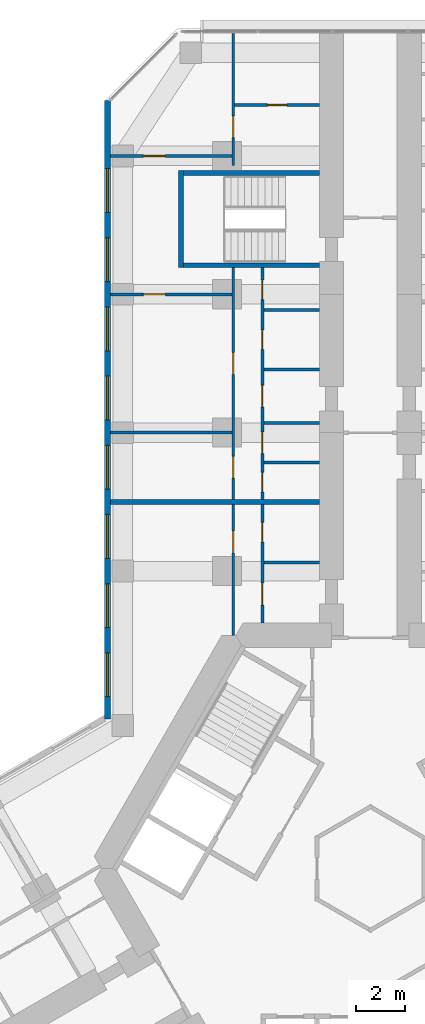
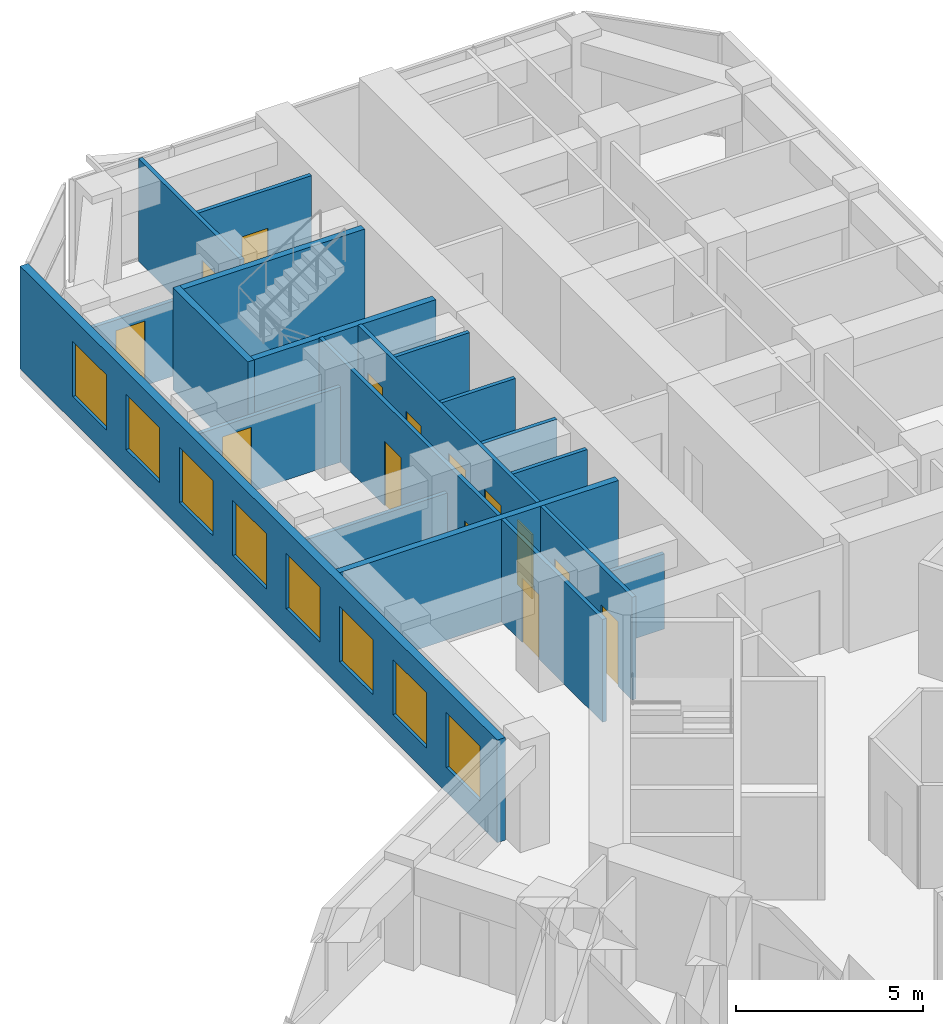
# One storey, part 17 of 21: 19 walls, 14 doors, 8 windows, 22 openings.
"""IFC4 building model written with IfcOpenShell, lengths in metres."""

from ifc_helpers import new_model, si_unit, direction, frame, frame_2d, origin, place, context, subcontext, project, spatial, rectangle, extrude, material, layer, layer_set, type_object, element, fill, save


model = new_model("IFC4")

# Units and contexts
model_context = context("Model", 3, precision=1e-05, world=origin(), true_north=direction((0.0, 1.0)))
body_context = subcontext(model_context, "Body", "Model", "MODEL_VIEW")
ifc_project = project(units=[si_unit("LENGTHUNIT", "METRE"), si_unit("AREAUNIT", "SQUARE_METRE"), si_unit("VOLUMEUNIT", "CUBIC_METRE"), si_unit("PLANEANGLEUNIT", "RADIAN"), si_unit("MASSUNIT", "GRAM", prefix="KILO")], contexts=[model_context])

# Site, building, storey
site_placement = place(None, origin())
site = spatial("IfcSite", under=ifc_project, at=site_placement, CompositionType="ELEMENT")
building_placement = place(site_placement, origin())
building = spatial("IfcBuilding", under=site, at=building_placement, Name="Kosmar Iwan School Tower", CompositionType="ELEMENT")
storey_placement = place(building_placement, frame((0.0, 0.0, 98.800048828125)))
storey = spatial("IfcBuildingStorey", under=building, at=storey_placement, Name="L24", CompositionType="ELEMENT", Elevation=98.800048828125)

# Wall, openings, doors
ifc_material_1 = material(Name="Gypsum board on steel studs", Category="steel")
ifc_layer_1 = layer(ifc_material_1, 0.1201171875)
ifc_layer_set_1 = layer_set([ifc_layer_1], Name="Dwelling partition 120")
wall_type_1 = type_object("IfcWallType", Name="Dwelling partition 120", PredefinedType="PARTITIONING", material=ifc_layer_set_1)
wall_1_placement = place(storey_placement, frame((-4.449951171875, 10.10009765625, 0.0), z_axis=(0.0, 0.0, 1.0), x_axis=(0.0, 1.0, 0.0)))
wall_1 = element("IfcWall", 1, at=wall_1_placement, inside=storey, type_object=wall_type_1, Name="Partition L24-AL1-W1", PredefinedType="PARTITIONING", context=body_context, shape_type="SweptSolid", body=[
    extrude(rectangle(XDim=4.89990234375, YDim=0.1201171875, at=frame_2d((2.449951171875, 0.0))), origin(), (0.0, 0.0, 1.0), 3.349853515625),
])
opening_1_placement = place(wall_1_placement, frame((0.75, 0.0, 0.0)))
opening_1 = element("IfcOpeningElement", 2, at=opening_1_placement, cuts=wall_1, Name="Opening D2", PredefinedType="OPENING", context=body_context, shape_type="SweptSolid", body=[
    extrude(rectangle(XDim=0.89990234375, YDim=2.10009765625, at=frame_2d((0.449951171875, 1.050048828125))), frame((0.0, 0.072021484375, 0.0), z_axis=(0.0, -1.0, 0.0), x_axis=(1.0, 0.0, 0.0)), (0.0, 0.0, 1.0), 0.14404296875),
])
opening_2_placement = place(wall_1_placement, frame((3.35009765625, 0.0, 0.0)))
opening_2 = element("IfcOpeningElement", 3, at=opening_2_placement, cuts=wall_1, Name="Opening D3", PredefinedType="OPENING", context=body_context, shape_type="SweptSolid", body=[
    extrude(rectangle(XDim=0.800048828125, YDim=2.10009765625, at=frame_2d((0.39990234375, 1.050048828125))), frame((0.0, 0.072021484375, 0.0), z_axis=(0.0, -1.0, 0.0), x_axis=(1.0, 0.0, 0.0)), (0.0, 0.0, 1.0), 0.14404296875),
])
ifc_material_2 = material(Name="Timber door in timber frame", Category="wood")
door_type_1 = type_object("IfcDoorType", Name="Internal door 900x2100", OperationType="SINGLE_SWING_LEFT", PredefinedType="DOOR", material=ifc_material_2)
door_1_placement = place(opening_1_placement, origin())
door_1 = element("IfcDoor", 4, at=door_1_placement, inside=storey, type_object=door_type_1, Name="Entrance hall door L24-AL1-S1", OperationType="SINGLE_SWING_LEFT", OverallHeight=2.10009765625, OverallWidth=0.89990234375, PredefinedType="DOOR", context=body_context, shape_type="SweptSolid", body=[
    extrude(rectangle(XDim=0.89990234375, YDim=2.10009765625, at=frame_2d((0.449951171875, 1.050048828125))), frame((0.0, 0.02490234375, 0.0), z_axis=(0.0, -1.0, 0.0), x_axis=(1.0, 0.0, 0.0)), (0.0, 0.0, 1.0), 0.050048828125),
])
fill(opening_1, door_1)
ifc_material_3 = material(Name="Timber door in timber frame", Category="wood")
door_type_2 = type_object("IfcDoorType", Name="Sanitary room door 800x2100", OperationType="SINGLE_SWING_LEFT", PredefinedType="DOOR", material=ifc_material_3)
door_2_placement = place(opening_2_placement, origin())
door_2 = element("IfcDoor", 5, at=door_2_placement, inside=storey, type_object=door_type_2, Name="Bathroom door L24-AL1-S2", OperationType="SINGLE_SWING_RIGHT", OverallHeight=2.10009765625, OverallWidth=0.800048828125, PredefinedType="DOOR", context=body_context, shape_type="SweptSolid", body=[
    extrude(rectangle(XDim=0.800048828125, YDim=2.10009765625, at=frame_2d((0.39990234375, 1.050048828125))), frame((0.0, 0.02490234375, 0.0), z_axis=(0.0, -1.0, 0.0), x_axis=(1.0, 0.0, 0.0)), (0.0, 0.0, 1.0), 0.050048828125),
])
fill(opening_2, door_2)

# Wall, opening, door
wall_2_placement = place(storey_placement, frame((-5.64990234375, 9.60009765625, 0.0), z_axis=(0.0, 0.0, 1.0), x_axis=(0.0, 1.0, 0.0)))
wall_2 = element("IfcWall", 6, at=wall_2_placement, inside=storey, type_object=wall_type_1, Name="Partition L24-AL1-W2", PredefinedType="PARTITIONING", context=body_context, shape_type="SweptSolid", body=[
    extrude(rectangle(XDim=5.39990234375, YDim=0.1201171875, at=frame_2d((2.699951171875, 0.0))), origin(), (0.0, 0.0, 1.0), 3.349853515625),
])
opening_3_placement = place(wall_2_placement, frame((3.39990234375, 0.0, 0.0)))
opening_3 = element("IfcOpeningElement", 7, at=opening_3_placement, cuts=wall_2, Name="Opening D2", PredefinedType="OPENING", context=body_context, shape_type="SweptSolid", body=[
    extrude(rectangle(XDim=0.89990234375, YDim=2.10009765625, at=frame_2d((0.449951171875, 1.050048828125))), frame((0.0, 0.072021484375, 0.0), z_axis=(0.0, -1.0, 0.0), x_axis=(1.0, 0.0, 0.0)), (0.0, 0.0, 1.0), 0.14404296875),
])
door_3_placement = place(opening_3_placement, origin())
door_3 = element("IfcDoor", 8, at=door_3_placement, inside=storey, type_object=door_type_1, Name="Studio living room and kitchen door L24-AL1-F1", OperationType="SINGLE_SWING_RIGHT", OverallHeight=2.10009765625, OverallWidth=0.89990234375, PredefinedType="DOOR", context=body_context, shape_type="SweptSolid", body=[
    extrude(rectangle(XDim=0.89990234375, YDim=2.10009765625, at=frame_2d((0.449951171875, 1.050048828125))), frame((0.0, 0.02490234375, 0.0), z_axis=(0.0, -1.0, 0.0), x_axis=(1.0, 0.0, 0.0)), (0.0, 0.0, 1.0), 0.050048828125),
])
fill(opening_3, door_3)

# Wall
wall_3_placement = place(storey_placement, frame((-2.10009765625, 12.60009765625, 0.0), z_axis=(0.0, 0.0, 1.0), x_axis=(-1.0, 0.0, 0.0)))
element("IfcWall", 9, at=wall_3_placement, inside=storey, type_object=wall_type_1, Name="Partition L24-AL1-Y1", PredefinedType="PARTITIONING", context=body_context, shape_type="SweptSolid", body=[
    extrude(rectangle(XDim=2.289794921875, YDim=0.1201171875, at=frame_2d((1.14501953125, 0.0))), origin(), (0.0, 0.0, 1.0), 2.449951171875),
])

# Wall, openings, doors
wall_4_placement = place(storey_placement, frame((-4.449951171875, 15.199951171875, 0.0), z_axis=(0.0, 0.0, 1.0), x_axis=(0.0, 1.0, 0.0)))
wall_4 = element("IfcWall", 10, at=wall_4_placement, inside=storey, type_object=wall_type_1, Name="Partition L24-AL2-W1", PredefinedType="PARTITIONING", context=body_context, shape_type="SweptSolid", body=[
    extrude(rectangle(XDim=9.550048828125, YDim=0.1201171875, at=frame_2d((4.77490234375, 0.0))), origin(), (0.0, 0.0, 1.0), 3.349853515625),
])
opening_4_placement = place(wall_4_placement, frame((0.3125, 0.0, 0.0)))
opening_4 = element("IfcOpeningElement", 11, at=opening_4_placement, cuts=wall_4, Name="Opening D3", PredefinedType="OPENING", context=body_context, shape_type="SweptSolid", body=[
    extrude(rectangle(XDim=0.800048828125, YDim=2.10009765625, at=frame_2d((0.39990234375, 1.050048828125))), frame((0.0, 0.072021484375, 0.0), z_axis=(0.0, -1.0, 0.0), x_axis=(1.0, 0.0, 0.0)), (0.0, 0.0, 1.0), 0.14404296875),
])
opening_5_placement = place(wall_4_placement, frame((1.887451171875, 0.0, 0.0)))
opening_5 = element("IfcOpeningElement", 12, at=opening_5_placement, cuts=wall_4, Name="Opening D2", PredefinedType="OPENING", context=body_context, shape_type="SweptSolid", body=[
    extrude(rectangle(XDim=0.89990234375, YDim=2.10009765625, at=frame_2d((0.449951171875, 1.050048828125))), frame((0.0, 0.072021484375, 0.0), z_axis=(0.0, -1.0, 0.0), x_axis=(1.0, 0.0, 0.0)), (0.0, 0.0, 1.0), 0.14404296875),
])
opening_6_placement = place(wall_4_placement, frame((3.800048828125, 0.0, 0.0)))
opening_6 = element("IfcOpeningElement", 13, at=opening_6_placement, cuts=wall_4, Name="Opening D2", PredefinedType="OPENING", context=body_context, shape_type="SweptSolid", body=[
    extrude(rectangle(XDim=0.89990234375, YDim=2.10009765625, at=frame_2d((0.449951171875, 1.050048828125))), frame((0.0, 0.072021484375, 0.0), z_axis=(0.0, -1.0, 0.0), x_axis=(1.0, 0.0, 0.0)), (0.0, 0.0, 1.0), 0.14404296875),
])
opening_7_placement = place(wall_4_placement, frame((6.179931640625, 0.0, 0.0)))
opening_7 = element("IfcOpeningElement", 14, at=opening_7_placement, cuts=wall_4, Name="Opening D3", PredefinedType="OPENING", context=body_context, shape_type="SweptSolid", body=[
    extrude(rectangle(XDim=0.800048828125, YDim=2.10009765625, at=frame_2d((0.39990234375, 1.050048828125))), frame((0.0, 0.072021484375, 0.0), z_axis=(0.0, -1.0, 0.0), x_axis=(1.0, 0.0, 0.0)), (0.0, 0.0, 1.0), 0.14404296875),
])
opening_8_placement = place(wall_4_placement, frame((8.22998046875, 0.0, 0.0)))
opening_8 = element("IfcOpeningElement", 15, at=opening_8_placement, cuts=wall_4, Name="Opening D3", PredefinedType="OPENING", context=body_context, shape_type="SweptSolid", body=[
    extrude(rectangle(XDim=0.800048828125, YDim=2.10009765625, at=frame_2d((0.39990234375, 1.050048828125))), frame((0.0, 0.072021484375, 0.0), z_axis=(0.0, -1.0, 0.0), x_axis=(1.0, 0.0, 0.0)), (0.0, 0.0, 1.0), 0.14404296875),
])
door_4_placement = place(opening_5_placement, frame((0.89990234375, 0.0, 0.0), z_axis=(0.0, 0.0, 1.0), x_axis=(-1.0, 0.0, 0.0)))
door_4 = element("IfcDoor", 16, at=door_4_placement, inside=storey, type_object=door_type_1, Name="Pantry door L24-AL2-S2", OperationType="SINGLE_SWING_RIGHT", OverallHeight=2.10009765625, OverallWidth=0.89990234375, PredefinedType="DOOR", context=body_context, shape_type="SweptSolid", body=[
    extrude(rectangle(XDim=0.89990234375, YDim=2.10009765625, at=frame_2d((0.449951171875, 1.050048828125))), frame((0.0, 0.02490234375, 0.0), z_axis=(0.0, -1.0, 0.0), x_axis=(1.0, 0.0, 0.0)), (0.0, 0.0, 1.0), 0.050048828125),
])
fill(opening_5, door_4)
door_5_placement = place(opening_6_placement, origin())
door_5 = element("IfcDoor", 17, at=door_5_placement, inside=storey, type_object=door_type_1, Name="Entrance hall door L24-AL2-S3", OperationType="SINGLE_SWING_LEFT", OverallHeight=2.10009765625, OverallWidth=0.89990234375, PredefinedType="DOOR", context=body_context, shape_type="SweptSolid", body=[
    extrude(rectangle(XDim=0.89990234375, YDim=2.10009765625, at=frame_2d((0.449951171875, 1.050048828125))), frame((0.0, 0.02490234375, 0.0), z_axis=(0.0, -1.0, 0.0), x_axis=(1.0, 0.0, 0.0)), (0.0, 0.0, 1.0), 0.050048828125),
])
fill(opening_6, door_5)
door_6_placement = place(opening_4_placement, origin())
door_6 = element("IfcDoor", 18, at=door_6_placement, inside=storey, type_object=door_type_2, Name="Store door L24-AL2-S1", OperationType="SINGLE_SWING_LEFT", OverallHeight=2.10009765625, OverallWidth=0.800048828125, PredefinedType="DOOR", context=body_context, shape_type="SweptSolid", body=[
    extrude(rectangle(XDim=0.800048828125, YDim=2.10009765625, at=frame_2d((0.39990234375, 1.050048828125))), frame((0.0, 0.02490234375, 0.0), z_axis=(0.0, -1.0, 0.0), x_axis=(1.0, 0.0, 0.0)), (0.0, 0.0, 1.0), 0.050048828125),
])
fill(opening_4, door_6)
door_7_placement = place(opening_7_placement, origin())
door_7 = element("IfcDoor", 19, at=door_7_placement, inside=storey, type_object=door_type_2, Name="Bathroom door L24-AL2-S4", OperationType="SINGLE_SWING_RIGHT", OverallHeight=2.10009765625, OverallWidth=0.800048828125, PredefinedType="DOOR", context=body_context, shape_type="SweptSolid", body=[
    extrude(rectangle(XDim=0.800048828125, YDim=2.10009765625, at=frame_2d((0.39990234375, 1.050048828125))), frame((0.0, 0.02490234375, 0.0), z_axis=(0.0, -1.0, 0.0), x_axis=(1.0, 0.0, 0.0)), (0.0, 0.0, 1.0), 0.050048828125),
])
fill(opening_7, door_7)
door_8_placement = place(opening_8_placement, origin())
door_8 = element("IfcDoor", 20, at=door_8_placement, inside=storey, type_object=door_type_2, Name="WC door L24-AL2-S5", OperationType="SINGLE_SWING_RIGHT", OverallHeight=2.10009765625, OverallWidth=0.800048828125, PredefinedType="DOOR", context=body_context, shape_type="SweptSolid", body=[
    extrude(rectangle(XDim=0.800048828125, YDim=2.10009765625, at=frame_2d((0.39990234375, 1.050048828125))), frame((0.0, 0.02490234375, 0.0), z_axis=(0.0, -1.0, 0.0), x_axis=(1.0, 0.0, 0.0)), (0.0, 0.0, 1.0), 0.050048828125),
])
fill(opening_8, door_8)

wall_5_placement = place(storey_placement, frame((-5.64990234375, 15.199951171875, 0.0), z_axis=(0.0, 0.0, 1.0), x_axis=(0.0, 1.0, 0.0)))
wall_5 = element("IfcWall", 21, at=wall_5_placement, inside=storey, type_object=wall_type_1, Name="Partition L24-AL2-W2", PredefinedType="PARTITIONING", context=body_context, shape_type="SweptSolid", body=[
    extrude(rectangle(XDim=9.550048828125, YDim=0.1201171875, at=frame_2d((4.77490234375, 0.0))), origin(), (0.0, 0.0, 1.0), 3.349853515625),
])
opening_9_placement = place(wall_5_placement, frame((0.875, 0.0, 0.0)))
opening_9 = element("IfcOpeningElement", 22, at=opening_9_placement, cuts=wall_5, Name="Opening D2", PredefinedType="OPENING", context=body_context, shape_type="SweptSolid", body=[
    extrude(rectangle(XDim=0.89990234375, YDim=2.10009765625, at=frame_2d((0.449951171875, 1.050048828125))), frame((0.0, 0.072021484375, 0.0), z_axis=(0.0, -1.0, 0.0), x_axis=(1.0, 0.0, 0.0)), (0.0, 0.0, 1.0), 0.14404296875),
])
opening_10_placement = place(wall_5_placement, frame((5.14990234375, 0.0, 0.0)))
opening_10 = element("IfcOpeningElement", 23, at=opening_10_placement, cuts=wall_5, Name="Opening D2", PredefinedType="OPENING", context=body_context, shape_type="SweptSolid", body=[
    extrude(rectangle(XDim=0.89990234375, YDim=2.10009765625, at=frame_2d((0.449951171875, 1.050048828125))), frame((0.0, 0.072021484375, 0.0), z_axis=(0.0, -1.0, 0.0), x_axis=(1.0, 0.0, 0.0)), (0.0, 0.0, 1.0), 0.14404296875),
])
door_9_placement = place(opening_9_placement, origin())
door_9 = element("IfcDoor", 24, at=door_9_placement, inside=storey, type_object=door_type_1, Name="Bedroom 1 door L24-AL2-F1", OperationType="SINGLE_SWING_RIGHT", OverallHeight=2.10009765625, OverallWidth=0.89990234375, PredefinedType="DOOR", context=body_context, shape_type="SweptSolid", body=[
    extrude(rectangle(XDim=0.89990234375, YDim=2.10009765625, at=frame_2d((0.449951171875, 1.050048828125))), frame((0.0, 0.02490234375, 0.0), z_axis=(0.0, -1.0, 0.0), x_axis=(1.0, 0.0, 0.0)), (0.0, 0.0, 1.0), 0.050048828125),
])
fill(opening_9, door_9)
door_10_placement = place(opening_10_placement, origin())
door_10 = element("IfcDoor", 25, at=door_10_placement, inside=storey, type_object=door_type_1, Name="Living room and kitchen door L24-AL2-F2", OperationType="SINGLE_SWING_LEFT", OverallHeight=2.10009765625, OverallWidth=0.89990234375, PredefinedType="DOOR", context=body_context, shape_type="SweptSolid", body=[
    extrude(rectangle(XDim=0.89990234375, YDim=2.10009765625, at=frame_2d((0.449951171875, 1.050048828125))), frame((0.0, 0.02490234375, 0.0), z_axis=(0.0, -1.0, 0.0), x_axis=(1.0, 0.0, 0.0)), (0.0, 0.0, 1.0), 0.050048828125),
])
fill(opening_10, door_10)

# Walls
wall_6_placement = place(storey_placement, frame((-5.7099609375, 17.949951171875, 0.0), z_axis=(0.0, 0.0, 1.0), x_axis=(-1.0, 0.0, 0.0)))
element("IfcWall", 26, at=wall_6_placement, inside=storey, type_object=wall_type_1, Name="Partition L24-AL2-X1", PredefinedType="PARTITIONING", context=body_context, shape_type="SweptSolid", body=[
    extrude(rectangle(XDim=4.989990234375, YDim=0.1201171875, at=frame_2d((2.4951171875, 0.0))), origin(), (0.0, 0.0, 1.0), 2.449951171875),
])
for number, where, z_axis, x_axis, name in (
    (27, (-2.10009765625, 16.72509765625, 0.0), (0.0, 0.0, 1.0), (-1.0, 0.0, 0.0), "Partition L24-AL2-Y1"),
    (28, (-2.10009765625, 18.35009765625, 0.0), (0.0, 0.0, 1.0), (-1.0, 0.0, 0.0), "Partition L24-AL2-Y2"),
    (29, (-2.10009765625, 20.550048828125, 0.0), (0.0, 0.0, 1.0), (-1.0, 0.0, 0.0), "Partition L24-AL2-Y3"),
    (30, (-2.10009765625, 23.010009765625, 0.0), (0.0, 0.0, 1.0), (-1.0, 0.0, 0.0), "Partition L24-AL2-Y4"),
):
    element("IfcWall", number, at=place(storey_placement, frame(where, z_axis=z_axis, x_axis=x_axis)), inside=storey, type_object=wall_type_1, Name=name, PredefinedType="PARTITIONING", context=body_context, shape_type="SweptSolid", body=[
        extrude(rectangle(XDim=2.289794921875, YDim=0.1201171875, at=frame_2d((1.14501953125, 0.0))), origin(), (0.0, 0.0, 1.0), 3.349853515625),
    ])

# Wall, opening, door
wall_7_placement = place(storey_placement, frame((-5.7099609375, 23.64990234375, 0.0), z_axis=(0.0, 0.0, 1.0), x_axis=(-1.0, 0.0, 0.0)))
wall_7 = element("IfcWall", 31, at=wall_7_placement, inside=storey, type_object=wall_type_1, Name="Partition L24-AL2-TB", PredefinedType="PARTITIONING", context=body_context, shape_type="SweptSolid", body=[
    extrude(rectangle(XDim=4.989990234375, YDim=0.1201171875, at=frame_2d((2.4951171875, 0.0))), origin(), (0.0, 0.0, 1.0), 2.449951171875),
])
opening_11_placement = place(wall_7_placement, frame((2.739990234375, 0.0, 0.0)))
opening_11 = element("IfcOpeningElement", 32, at=opening_11_placement, cuts=wall_7, Name="Opening D2", PredefinedType="OPENING", context=body_context, shape_type="SweptSolid", body=[
    extrude(rectangle(XDim=0.89990234375, YDim=2.10009765625, at=frame_2d((0.449951171875, 1.050048828125))), frame((0.0, 0.072021484375, 0.0), z_axis=(0.0, -1.0, 0.0), x_axis=(1.0, 0.0, 0.0)), (0.0, 0.0, 1.0), 0.14404296875),
])
door_11_placement = place(opening_11_placement, origin())
door_11 = element("IfcDoor", 33, at=door_11_placement, inside=storey, type_object=door_type_1, Name="Study door L24-AL2-F2", OperationType="SINGLE_SWING_RIGHT", OverallHeight=2.10009765625, OverallWidth=0.89990234375, PredefinedType="DOOR", context=body_context, shape_type="SweptSolid", body=[
    extrude(rectangle(XDim=0.89990234375, YDim=2.10009765625, at=frame_2d((0.449951171875, 1.050048828125))), frame((0.0, 0.02490234375, 0.0), z_axis=(0.0, -1.0, 0.0), x_axis=(1.0, 0.0, 0.0)), (0.0, 0.0, 1.0), 0.050048828125),
])
fill(opening_11, door_11)

wall_8_placement = place(storey_placement, frame((-5.7099609375, 29.35009765625, 0.0), z_axis=(0.0, 0.0, 1.0), x_axis=(-1.0, 0.0, 0.0)))
wall_8 = element("IfcWall", 34, at=wall_8_placement, inside=storey, type_object=wall_type_1, Name="Partition L24-AL2-TX", PredefinedType="PARTITIONING", context=body_context, shape_type="SweptSolid", body=[
    extrude(rectangle(XDim=4.989990234375, YDim=0.1201171875, at=frame_2d((2.4951171875, 0.0))), origin(), (0.0, 0.0, 1.0), 2.449951171875),
])
opening_12_placement = place(wall_8_placement, frame((2.739990234375, 0.0, 0.0)))
opening_12 = element("IfcOpeningElement", 35, at=opening_12_placement, cuts=wall_8, Name="Opening D2", PredefinedType="OPENING", context=body_context, shape_type="SweptSolid", body=[
    extrude(rectangle(XDim=0.89990234375, YDim=2.10009765625, at=frame_2d((0.449951171875, 1.050048828125))), frame((0.0, 0.072021484375, 0.0), z_axis=(0.0, -1.0, 0.0), x_axis=(1.0, 0.0, 0.0)), (0.0, 0.0, 1.0), 0.14404296875),
])
door_12_placement = place(opening_12_placement, origin())
door_12 = element("IfcDoor", 36, at=door_12_placement, inside=storey, type_object=door_type_1, Name="Study door L24-AL2-T1", OperationType="SINGLE_SWING_RIGHT", OverallHeight=2.10009765625, OverallWidth=0.89990234375, PredefinedType="DOOR", context=body_context, shape_type="SweptSolid", body=[
    extrude(rectangle(XDim=0.89990234375, YDim=2.10009765625, at=frame_2d((0.449951171875, 1.050048828125))), frame((0.0, 0.02490234375, 0.0), z_axis=(0.0, -1.0, 0.0), x_axis=(1.0, 0.0, 0.0)), (0.0, 0.0, 1.0), 0.050048828125),
])
fill(opening_12, door_12)

wall_9_placement = place(storey_placement, frame((-5.64990234375, 28.949951171875, 0.0), z_axis=(0.0, 0.0, 1.0), x_axis=(0.0, 1.0, 0.0)))
wall_9 = element("IfcWall", 37, at=wall_9_placement, inside=storey, type_object=wall_type_1, Name="Partition L24-AL2-TW", PredefinedType="PARTITIONING", context=body_context, shape_type="SweptSolid", body=[
    extrude(rectangle(XDim=5.445068359375, YDim=0.1201171875, at=frame_2d((2.72265625, 0.0))), origin(), (0.0, 0.0, 1.0), 3.349853515625),
])
opening_13_placement = place(wall_9_placement, frame((1.14990234375, 0.0, 0.0)))
opening_13 = element("IfcOpeningElement", 38, at=opening_13_placement, cuts=wall_9, Name="Opening D2", PredefinedType="OPENING", context=body_context, shape_type="SweptSolid", body=[
    extrude(rectangle(XDim=0.89990234375, YDim=2.10009765625, at=frame_2d((0.449951171875, 1.050048828125))), frame((0.0, 0.072021484375, 0.0), z_axis=(0.0, -1.0, 0.0), x_axis=(1.0, 0.0, 0.0)), (0.0, 0.0, 1.0), 0.14404296875),
])
door_13_placement = place(opening_13_placement, origin())
door_13 = element("IfcDoor", 39, at=door_13_placement, inside=storey, type_object=door_type_1, Name="Dressing room door L24-AL2-T3", OperationType="SINGLE_SWING_LEFT", OverallHeight=2.10009765625, OverallWidth=0.89990234375, PredefinedType="DOOR", context=body_context, shape_type="SweptSolid", body=[
    extrude(rectangle(XDim=0.89990234375, YDim=2.10009765625, at=frame_2d((0.449951171875, 1.050048828125))), frame((0.0, 0.02490234375, 0.0), z_axis=(0.0, -1.0, 0.0), x_axis=(1.0, 0.0, 0.0)), (0.0, 0.0, 1.0), 0.050048828125),
])
fill(opening_13, door_13)

wall_10_placement = place(storey_placement, frame((-2.10009765625, 31.449951171875, 0.0), z_axis=(0.0, 0.0, 1.0), x_axis=(-1.0, 0.0, 0.0)))
wall_10 = element("IfcWall", 40, at=wall_10_placement, inside=storey, type_object=wall_type_1, Name="Partition L24-AL2-TY", PredefinedType="PARTITIONING", context=body_context, shape_type="SweptSolid", body=[
    extrude(rectangle(XDim=3.489990234375, YDim=0.1201171875, at=frame_2d((1.7451171875, 0.0))), origin(), (0.0, 0.0, 1.0), 3.349853515625),
])
opening_14_placement = place(wall_10_placement, frame((1.344970703125, 0.0, 0.0)))
opening_14 = element("IfcOpeningElement", 41, at=opening_14_placement, cuts=wall_10, Name="Opening D3", PredefinedType="OPENING", context=body_context, shape_type="SweptSolid", body=[
    extrude(rectangle(XDim=0.800048828125, YDim=2.10009765625, at=frame_2d((0.39990234375, 1.050048828125))), frame((0.0, 0.072021484375, 0.0), z_axis=(0.0, -1.0, 0.0), x_axis=(1.0, 0.0, 0.0)), (0.0, 0.0, 1.0), 0.14404296875),
])
door_14_placement = place(opening_14_placement, origin())
door_14 = element("IfcDoor", 42, at=door_14_placement, inside=storey, type_object=door_type_2, Name="Shower room door L24-AL2-T4", OperationType="SINGLE_SWING_LEFT", OverallHeight=2.10009765625, OverallWidth=0.800048828125, PredefinedType="DOOR", context=body_context, shape_type="SweptSolid", body=[
    extrude(rectangle(XDim=0.800048828125, YDim=2.10009765625, at=frame_2d((0.39990234375, 1.050048828125))), frame((0.0, 0.02490234375, 0.0), z_axis=(0.0, -1.0, 0.0), x_axis=(1.0, 0.0, 0.0)), (0.0, 0.0, 1.0), 0.050048828125),
])
fill(opening_14, door_14)

# Walls
ifc_material_4 = material(Name="Concrete C35/45", Category="concrete")
ifc_layer_2 = layer(ifc_material_4, 0.199951171875)
ifc_layer_set_2 = layer_set([ifc_layer_2], Name="Escape stair wall 200")
wall_type_2 = type_object("IfcWallType", Name="Escape stair wall 200", PredefinedType="SHEAR", material=ifc_layer_set_2)
for number, where, z_axis, x_axis, name in (
    (43, (-2.10009765625, 24.85009765625, 0.0), (0.0, 0.0, 1.0), (-1.0, 0.0, 0.0), "Stair WS1 wall"),
    (44, (-2.10009765625, 28.64990234375, 0.0), (0.0, 0.0, 1.0), (-1.0, 0.0, 0.0), "Stair WS1 wall"),
):
    element("IfcWall", number, at=place(storey_placement, frame(where, z_axis=z_axis, x_axis=x_axis)), inside=storey, type_object=wall_type_2, Name=name, PredefinedType="SHEAR", context=body_context, shape_type="SweptSolid", body=[
        extrude(rectangle(XDim=5.7998046875, YDim=0.199951171875, at=frame_2d((2.89990234375, 0.0))), origin(), (0.0, 0.0, 1.0), 3.329833984375),
    ])
wall_11_placement = place(storey_placement, frame((-7.800048828125, 24.75, 0.0), z_axis=(0.0, 0.0, 1.0), x_axis=(0.0, 1.0, 0.0)))
element("IfcWall", 45, at=wall_11_placement, inside=storey, type_object=wall_type_2, Name="Stair WS1 wall", PredefinedType="SHEAR", context=body_context, shape_type="SweptSolid", body=[
    extrude(rectangle(XDim=4.0, YDim=0.199951171875, at=frame_2d((2.0, 0.0))), origin(), (0.0, 0.0, 1.0), 3.329833984375),
])

# Wall, openings, windows
ifc_material_5 = material(Name="Black aluminium rainscreen on insulated framing", Category="aluminium")
ifc_layer_3 = layer(ifc_material_5, 0.25)
ifc_layer_set_3 = layer_set([ifc_layer_3], Name="External wall rainscreen 250")
wall_type_3 = type_object("IfcWallType", Name="External wall rainscreen 250", PredefinedType="SOLIDWALL", material=ifc_layer_set_3)
wall_12_placement = place(storey_placement, frame((-10.824951171875, 6.14794921875, 0.0), z_axis=(0.0, 0.0, 1.0), x_axis=(0.0, 1.0, 0.0)))
wall_12 = element("IfcWall", 46, at=wall_12_placement, inside=storey, type_object=wall_type_3, Name="External wall AL L24", PredefinedType="SOLIDWALL", context=body_context, shape_type="SweptSolid", body=[
    extrude(rectangle(XDim=25.4873046875, YDim=0.25, at=frame_2d((12.74365234375, 0.0))), origin(), (0.0, 0.0, 1.0), 3.349853515625),
])
opening_15_placement = place(wall_12_placement, frame((0.927001953125, 0.0, 0.800048828125)))
opening_15 = element("IfcOpeningElement", 47, at=opening_15_placement, cuts=wall_12, Name="Opening W1", PredefinedType="OPENING", context=body_context, shape_type="SweptSolid", body=[
    extrude(rectangle(XDim=1.800048828125, YDim=1.800048828125, at=frame_2d((0.89990234375, 0.89990234375))), frame((0.0, 0.136962890625, 0.0), z_axis=(0.0, -1.0, 0.0), x_axis=(1.0, 0.0, 0.0)), (0.0, 0.0, 1.0), 0.27392578125),
])
opening_16_placement = place(wall_12_placement, frame((3.777099609375, 0.0, 0.800048828125)))
opening_16 = element("IfcOpeningElement", 48, at=opening_16_placement, cuts=wall_12, Name="Opening W1", PredefinedType="OPENING", context=body_context, shape_type="SweptSolid", body=[
    extrude(rectangle(XDim=1.800048828125, YDim=1.800048828125, at=frame_2d((0.89990234375, 0.89990234375))), frame((0.0, 0.136962890625, 0.0), z_axis=(0.0, -1.0, 0.0), x_axis=(1.0, 0.0, 0.0)), (0.0, 0.0, 1.0), 0.27392578125),
])
opening_17_placement = place(wall_12_placement, frame((6.626953125, 0.0, 0.800048828125)))
opening_17 = element("IfcOpeningElement", 49, at=opening_17_placement, cuts=wall_12, Name="Opening W1", PredefinedType="OPENING", context=body_context, shape_type="SweptSolid", body=[
    extrude(rectangle(XDim=1.800048828125, YDim=1.800048828125, at=frame_2d((0.89990234375, 0.89990234375))), frame((0.0, 0.136962890625, 0.0), z_axis=(0.0, -1.0, 0.0), x_axis=(1.0, 0.0, 0.0)), (0.0, 0.0, 1.0), 0.27392578125),
])
opening_18_placement = place(wall_12_placement, frame((9.47705078125, 0.0, 0.800048828125)))
opening_18 = element("IfcOpeningElement", 50, at=opening_18_placement, cuts=wall_12, Name="Opening W1", PredefinedType="OPENING", context=body_context, shape_type="SweptSolid", body=[
    extrude(rectangle(XDim=1.800048828125, YDim=1.800048828125, at=frame_2d((0.89990234375, 0.89990234375))), frame((0.0, 0.136962890625, 0.0), z_axis=(0.0, -1.0, 0.0), x_axis=(1.0, 0.0, 0.0)), (0.0, 0.0, 1.0), 0.27392578125),
])
opening_19_placement = place(wall_12_placement, frame((12.326904296875, 0.0, 0.800048828125)))
opening_19 = element("IfcOpeningElement", 51, at=opening_19_placement, cuts=wall_12, Name="Opening W1", PredefinedType="OPENING", context=body_context, shape_type="SweptSolid", body=[
    extrude(rectangle(XDim=1.800048828125, YDim=1.800048828125, at=frame_2d((0.89990234375, 0.89990234375))), frame((0.0, 0.136962890625, 0.0), z_axis=(0.0, -1.0, 0.0), x_axis=(1.0, 0.0, 0.0)), (0.0, 0.0, 1.0), 0.27392578125),
])
opening_20_placement = place(wall_12_placement, frame((15.177001953125, 0.0, 0.800048828125)))
opening_20 = element("IfcOpeningElement", 52, at=opening_20_placement, cuts=wall_12, Name="Opening W1", PredefinedType="OPENING", context=body_context, shape_type="SweptSolid", body=[
    extrude(rectangle(XDim=1.800048828125, YDim=1.800048828125, at=frame_2d((0.89990234375, 0.89990234375))), frame((0.0, 0.136962890625, 0.0), z_axis=(0.0, -1.0, 0.0), x_axis=(1.0, 0.0, 0.0)), (0.0, 0.0, 1.0), 0.27392578125),
])
opening_21_placement = place(wall_12_placement, frame((18.027099609375, 0.0, 0.800048828125)))
opening_21 = element("IfcOpeningElement", 53, at=opening_21_placement, cuts=wall_12, Name="Opening W1", PredefinedType="OPENING", context=body_context, shape_type="SweptSolid", body=[
    extrude(rectangle(XDim=1.800048828125, YDim=1.800048828125, at=frame_2d((0.89990234375, 0.89990234375))), frame((0.0, 0.136962890625, 0.0), z_axis=(0.0, -1.0, 0.0), x_axis=(1.0, 0.0, 0.0)), (0.0, 0.0, 1.0), 0.27392578125),
])
opening_22_placement = place(wall_12_placement, frame((20.876953125, 0.0, 0.800048828125)))
opening_22 = element("IfcOpeningElement", 54, at=opening_22_placement, cuts=wall_12, Name="Opening W1", PredefinedType="OPENING", context=body_context, shape_type="SweptSolid", body=[
    extrude(rectangle(XDim=1.800048828125, YDim=1.800048828125, at=frame_2d((0.89990234375, 0.89990234375))), frame((0.0, 0.136962890625, 0.0), z_axis=(0.0, -1.0, 0.0), x_axis=(1.0, 0.0, 0.0)), (0.0, 0.0, 1.0), 0.27392578125),
])
ifc_material_6 = material(Name="Black aluminium frame with dark triple glazing", Category="aluminium")
window_type = type_object("IfcWindowType", Name="Window 1800x1800", PartitioningType="SINGLE_PANEL", PredefinedType="WINDOW", material=ifc_material_6)
window_1_placement = place(opening_15_placement, origin())
window_1 = element("IfcWindow", 55, at=window_1_placement, inside=storey, type_object=window_type, Name="Window AL L24 -1", OverallHeight=1.800048828125, OverallWidth=1.800048828125, PartitioningType="SINGLE_PANEL", PredefinedType="WINDOW", context=body_context, shape_type="SweptSolid", body=[
    extrude(rectangle(XDim=1.800048828125, YDim=1.800048828125, at=frame_2d((0.89990234375, 0.89990234375))), frame((0.0, 0.030029296875, 0.0), z_axis=(0.0, -1.0, 0.0), x_axis=(1.0, 0.0, 0.0)), (0.0, 0.0, 1.0), 0.06005859375),
])
fill(opening_15, window_1)
window_2_placement = place(opening_16_placement, origin())
window_2 = element("IfcWindow", 56, at=window_2_placement, inside=storey, type_object=window_type, Name="Window AL L24 0", OverallHeight=1.800048828125, OverallWidth=1.800048828125, PartitioningType="SINGLE_PANEL", PredefinedType="WINDOW", context=body_context, shape_type="SweptSolid", body=[
    extrude(rectangle(XDim=1.800048828125, YDim=1.800048828125, at=frame_2d((0.89990234375, 0.89990234375))), frame((0.0, 0.030029296875, 0.0), z_axis=(0.0, -1.0, 0.0), x_axis=(1.0, 0.0, 0.0)), (0.0, 0.0, 1.0), 0.06005859375),
])
fill(opening_16, window_2)
window_3_placement = place(opening_17_placement, origin())
window_3 = element("IfcWindow", 57, at=window_3_placement, inside=storey, type_object=window_type, Name="Window AL L24 1", OverallHeight=1.800048828125, OverallWidth=1.800048828125, PartitioningType="SINGLE_PANEL", PredefinedType="WINDOW", context=body_context, shape_type="SweptSolid", body=[
    extrude(rectangle(XDim=1.800048828125, YDim=1.800048828125, at=frame_2d((0.89990234375, 0.89990234375))), frame((0.0, 0.030029296875, 0.0), z_axis=(0.0, -1.0, 0.0), x_axis=(1.0, 0.0, 0.0)), (0.0, 0.0, 1.0), 0.06005859375),
])
fill(opening_17, window_3)
window_4_placement = place(opening_18_placement, origin())
window_4 = element("IfcWindow", 58, at=window_4_placement, inside=storey, type_object=window_type, Name="Window AL L24 2", OverallHeight=1.800048828125, OverallWidth=1.800048828125, PartitioningType="SINGLE_PANEL", PredefinedType="WINDOW", context=body_context, shape_type="SweptSolid", body=[
    extrude(rectangle(XDim=1.800048828125, YDim=1.800048828125, at=frame_2d((0.89990234375, 0.89990234375))), frame((0.0, 0.030029296875, 0.0), z_axis=(0.0, -1.0, 0.0), x_axis=(1.0, 0.0, 0.0)), (0.0, 0.0, 1.0), 0.06005859375),
])
fill(opening_18, window_4)
window_5_placement = place(opening_19_placement, origin())
window_5 = element("IfcWindow", 59, at=window_5_placement, inside=storey, type_object=window_type, Name="Window AL L24 3", OverallHeight=1.800048828125, OverallWidth=1.800048828125, PartitioningType="SINGLE_PANEL", PredefinedType="WINDOW", context=body_context, shape_type="SweptSolid", body=[
    extrude(rectangle(XDim=1.800048828125, YDim=1.800048828125, at=frame_2d((0.89990234375, 0.89990234375))), frame((0.0, 0.030029296875, 0.0), z_axis=(0.0, -1.0, 0.0), x_axis=(1.0, 0.0, 0.0)), (0.0, 0.0, 1.0), 0.06005859375),
])
fill(opening_19, window_5)
window_6_placement = place(opening_20_placement, origin())
window_6 = element("IfcWindow", 60, at=window_6_placement, inside=storey, type_object=window_type, Name="Window AL L24 4", OverallHeight=1.800048828125, OverallWidth=1.800048828125, PartitioningType="SINGLE_PANEL", PredefinedType="WINDOW", context=body_context, shape_type="SweptSolid", body=[
    extrude(rectangle(XDim=1.800048828125, YDim=1.800048828125, at=frame_2d((0.89990234375, 0.89990234375))), frame((0.0, 0.030029296875, 0.0), z_axis=(0.0, -1.0, 0.0), x_axis=(1.0, 0.0, 0.0)), (0.0, 0.0, 1.0), 0.06005859375),
])
fill(opening_20, window_6)
window_7_placement = place(opening_21_placement, origin())
window_7 = element("IfcWindow", 61, at=window_7_placement, inside=storey, type_object=window_type, Name="Window AL L24 5", OverallHeight=1.800048828125, OverallWidth=1.800048828125, PartitioningType="SINGLE_PANEL", PredefinedType="WINDOW", context=body_context, shape_type="SweptSolid", body=[
    extrude(rectangle(XDim=1.800048828125, YDim=1.800048828125, at=frame_2d((0.89990234375, 0.89990234375))), frame((0.0, 0.030029296875, 0.0), z_axis=(0.0, -1.0, 0.0), x_axis=(1.0, 0.0, 0.0)), (0.0, 0.0, 1.0), 0.06005859375),
])
fill(opening_21, window_7)
window_8_placement = place(opening_22_placement, origin())
window_8 = element("IfcWindow", 62, at=window_8_placement, inside=storey, type_object=window_type, Name="Window AL L24 6", OverallHeight=1.800048828125, OverallWidth=1.800048828125, PartitioningType="SINGLE_PANEL", PredefinedType="WINDOW", context=body_context, shape_type="SweptSolid", body=[
    extrude(rectangle(XDim=1.800048828125, YDim=1.800048828125, at=frame_2d((0.89990234375, 0.89990234375))), frame((0.0, 0.030029296875, 0.0), z_axis=(0.0, -1.0, 0.0), x_axis=(1.0, 0.0, 0.0)), (0.0, 0.0, 1.0), 0.06005859375),
])
fill(opening_22, window_8)

# Wall
ifc_material_7 = material(Name="Concrete block masonry", Category="masonry")
ifc_layer_4 = layer(ifc_material_7, 0.199951171875)
ifc_layer_set_4 = layer_set([ifc_layer_4], Name="Party wall 200")
wall_type_4 = type_object("IfcWallType", Name="Party wall 200", PredefinedType="PARTITIONING", material=ifc_layer_set_4)
wall_13_placement = place(storey_placement, frame((-2.10009765625, 15.10009765625, 0.0), z_axis=(0.0, 0.0, 1.0), x_axis=(-1.0, 0.0, 0.0)))
element("IfcWall", 63, at=wall_13_placement, inside=storey, type_object=wall_type_4, Name="Partition L24-AL2-PW", PredefinedType="PARTITIONING", context=body_context, shape_type="SweptSolid", body=[
    extrude(rectangle(XDim=8.599853515625, YDim=0.199951171875, at=frame_2d((4.2998046875, 0.0))), origin(), (0.0, 0.0, 1.0), 3.349853515625),
])

save(model, "model.ifc")
